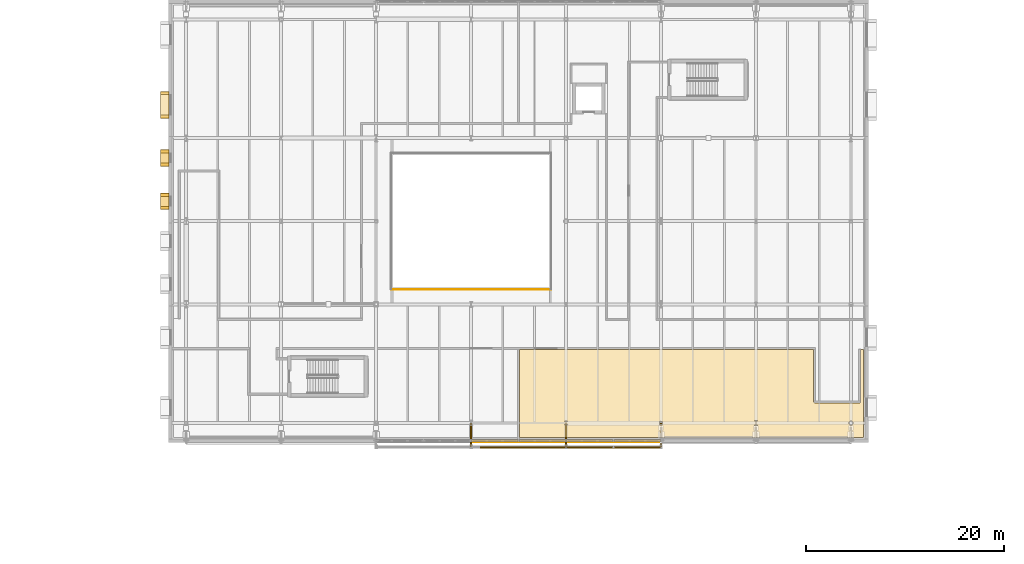
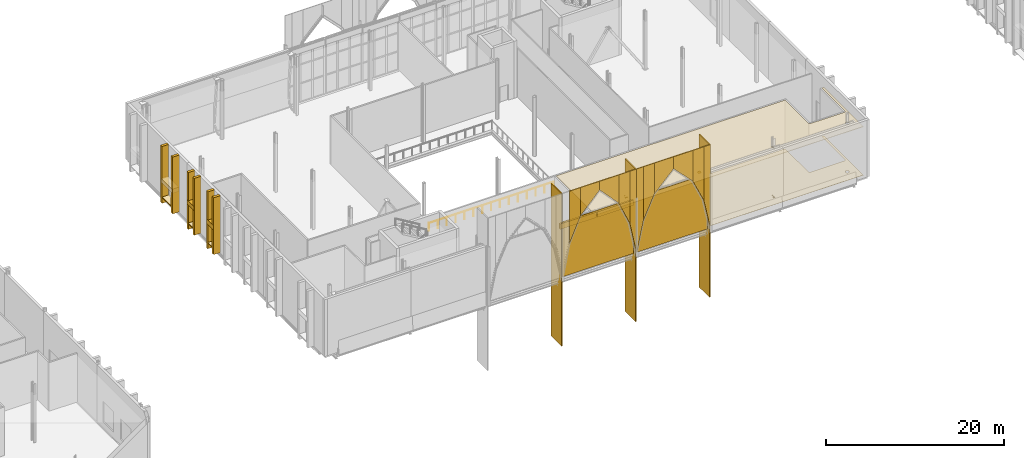
# One storey, part 70 of 79: 32 coverings, 2 shading devices, 1 railing.
"""IFC4 building model written with IfcOpenShell, lengths in metres."""

from ifc_helpers import new_model, si_unit, direction, frame, origin, origin_2d, place, context, subcontext, project, spatial, polyline, rectangle, circle, outline, extrude, material, layer, layer_set, type_object, element, save


model = new_model("IFC4")

# Units and contexts
model_context = context("Model", 3, precision=1e-05, world=origin(), true_north=direction((0.0, 1.0)))
body_context = subcontext(model_context, "Body", "Model", "MODEL_VIEW")
ifc_project = project(units=[si_unit("LENGTHUNIT", "METRE"), si_unit("AREAUNIT", "SQUARE_METRE"), si_unit("VOLUMEUNIT", "CUBIC_METRE"), si_unit("PLANEANGLEUNIT", "RADIAN"), si_unit("MASSUNIT", "GRAM", prefix="KILO")], contexts=[model_context])

# Site, building, storey
site_placement = place(None, origin())
site = spatial("IfcSite", under=ifc_project, at=site_placement, CompositionType="ELEMENT")
building_placement = place(site_placement, origin())
building = spatial("IfcBuilding", under=site, at=building_placement, Name="Zereglee Splitstone Museum", CompositionType="ELEMENT")
storey_placement = place(building_placement, frame((0.0, 0.0, 9.0)))
storey = spatial("IfcBuildingStorey", under=building, at=storey_placement, Name="L02", CompositionType="ELEMENT", Elevation=9.0)

# Coverings
ifc_material_1 = material(Name="Siberian larch acoustic timber ceiling", Category="wood")
ifc_layer_1 = layer(ifc_material_1, 0.06005859375)
ifc_layer_set_1 = layer_set([ifc_layer_1], Name="Siberian larch acoustic timber ceiling")
covering_type_1 = type_object("IfcCoveringType", Name="CLG-01", PredefinedType="CEILING", material=ifc_layer_set_1)
covering_1_placement = place(storey_placement, frame((0.0, 0.0, 6.639892578125)))
element("IfcCovering", 1, at=covering_1_placement, inside=storey, type_object=covering_type_1, Name="Acoustic Ceiling L02-038", PredefinedType="CEILING", context=body_context, shape_type="SweptSolid", body=[
    extrude(outline(polyline([(111.699951171875, 17.02001953125), (141.419921875, 17.02001953125), (141.419921875, 11.800048828125), (141.419921875, 11.799072265625), (141.4208984375, 11.783203125), (141.4208984375, 11.781494140625), (141.42333984375, 11.765869140625), (141.423583984375, 11.763916015625), (141.427490234375, 11.748779296875), (141.427978515625, 11.746826171875), (141.433349609375, 11.73193359375), (141.43408203125, 11.730224609375), (141.44091796875, 11.716064453125), (141.441650390625, 11.71435546875), (141.44970703125, 11.70068359375), (141.450927734375, 11.69921875), (141.460205078125, 11.6865234375), (141.46142578125, 11.68505859375), (141.471923828125, 11.67333984375), (141.473388671875, 11.672119140625), (141.485107421875, 11.66162109375), (141.486572265625, 11.660400390625), (141.499267578125, 11.65087890625), (141.500732421875, 11.64990234375), (141.514404296875, 11.6416015625), (141.51611328125, 11.640869140625), (141.5302734375, 11.634033203125), (141.531982421875, 11.63330078125), (141.546875, 11.628173828125), (141.548583984375, 11.62744140625), (141.56396484375, 11.623779296875), (141.56591796875, 11.623291015625), (141.581298828125, 11.62109375), (141.583251953125, 11.620849609375), (141.59912109375, 11.6201171875), (141.60009765625, 11.6201171875), (146.0, 11.6201171875), (146.0009765625, 11.6201171875), (146.0166015625, 11.620849609375), (146.0185546875, 11.62109375), (146.0341796875, 11.623291015625), (146.0361328125, 11.623779296875), (146.05126953125, 11.62744140625), (146.05322265625, 11.628173828125), (146.068115234375, 11.63330078125), (146.06982421875, 11.634033203125), (146.083984375, 11.640869140625), (146.085693359375, 11.6416015625), (146.09912109375, 11.64990234375), (146.100830078125, 11.65087890625), (146.11328125, 11.660400390625), (146.114990234375, 11.66162109375), (146.126708984375, 11.672119140625), (146.1279296875, 11.67333984375), (146.138427734375, 11.68505859375), (146.1396484375, 11.6865234375), (146.149169921875, 11.69921875), (146.150146484375, 11.70068359375), (146.158203125, 11.71435546875), (146.1591796875, 11.716064453125), (146.166015625, 11.730224609375), (146.166748046875, 11.73193359375), (146.171875, 11.746826171875), (146.172607421875, 11.748779296875), (146.17626953125, 11.763916015625), (146.1767578125, 11.765869140625), (146.178955078125, 11.781494140625), (146.17919921875, 11.783203125), (146.179931640625, 11.799072265625), (146.179931640625, 11.800048828125), (146.179931640625, 17.02001953125), (146.4599609375, 17.02001953125), (146.4599609375, 8.139892578125), (111.699951171875, 8.139892578125), (111.699951171875, 17.02001953125)]), holes=[polyline([(145.28076171875, 9.40478515625), (145.3173828125, 9.42431640625), (145.349365234375, 9.45068359375), (145.37548828125, 9.482666015625), (145.39501953125, 9.519287109375), (145.406982421875, 9.558837890625), (145.4111328125, 9.60009765625), (145.406982421875, 9.64111328125), (145.39501953125, 9.680908203125), (145.37548828125, 9.71728515625), (145.349365234375, 9.749267578125), (145.3173828125, 9.775634765625), (145.28076171875, 9.795166015625), (145.2412109375, 9.80712890625), (145.199951171875, 9.811279296875), (145.15869140625, 9.80712890625), (145.119140625, 9.795166015625), (145.082763671875, 9.775634765625), (145.05078125, 9.749267578125), (145.0244140625, 9.71728515625), (145.0048828125, 9.680908203125), (144.992919921875, 9.64111328125), (144.98876953125, 9.60009765625), (144.992919921875, 9.558837890625), (145.0048828125, 9.519287109375), (145.0244140625, 9.482666015625), (145.05078125, 9.45068359375), (145.082763671875, 9.42431640625), (145.119140625, 9.40478515625), (145.15869140625, 9.392822265625), (145.199951171875, 9.388916015625), (145.2412109375, 9.392822265625), (145.28076171875, 9.40478515625)]), polyline([(135.758056640625, 9.85791015625), (135.44189453125, 9.85791015625), (135.44189453125, 9.81396484375), (135.584716796875, 9.81396484375), (135.584716796875, 9.385986328125), (135.44189453125, 9.385986328125), (135.44189453125, 9.342041015625), (135.758056640625, 9.342041015625), (135.758056640625, 9.385986328125), (135.615234375, 9.385986328125), (135.615234375, 9.81396484375), (135.758056640625, 9.81396484375), (135.758056640625, 9.85791015625)]), polyline([(125.842041015625, 9.758056640625), (125.842041015625, 9.44189453125), (126.157958984375, 9.44189453125), (126.157958984375, 9.758056640625), (125.842041015625, 9.758056640625)]), polyline([(116.55810546875, 9.80810546875), (116.241943359375, 9.80810546875), (116.241943359375, 9.76806640625), (116.38525390625, 9.76806640625), (116.38525390625, 9.431884765625), (116.241943359375, 9.431884765625), (116.241943359375, 9.39208984375), (116.55810546875, 9.39208984375), (116.55810546875, 9.431884765625), (116.414794921875, 9.431884765625), (116.414794921875, 9.76806640625), (116.55810546875, 9.76806640625), (116.55810546875, 9.80810546875)])]), origin(), (0.0, 0.0, 1.0), 0.06005859375),
])
ifc_material_2 = material(Name="Honed Gobi pale limestone stringcourse and soffit cladding", Category="masonry")
ifc_layer_2 = layer(ifc_material_2, 0.070068359375)
ifc_layer_set_2 = layer_set([ifc_layer_2], Name="Honed Gobi pale limestone stringcourse and soffit cladding")
covering_type_2 = type_object("IfcCoveringType", Name="CL-02", PredefinedType="CLADDING", material=ifc_layer_set_2)
for number, where, z_axis, x_axis, name in (
    (2, (75.85498046875, 42.955078125, 0.0), (0.0, 0.0, 1.0), (0.0, -1.0, 0.0), "Mughal Window Reveal Stone Pilaster L02-0094L"),
    (3, (75.85498046875, 40.56494140625, 0.0), (0.0, 0.0, 1.0), (0.0, -1.0, 0.0), "Mughal Window Reveal Stone Pilaster L02-0094R"),
):
    element("IfcCovering", number, at=place(storey_placement, frame(where, z_axis=z_axis, x_axis=x_axis)), inside=storey, type_object=covering_type_2, Name=name, PredefinedType="CLADDING", context=body_context, shape_type="SweptSolid", body=[
        extrude(rectangle(XDim=0.340087890625, YDim=0.860107421875, at=origin_2d()), origin(), (0.0, 0.0, 1.0), 7.800048828125),
    ])
covering_2_placement = place(storey_placement, frame((75.844970703125, 41.760009765625, 0.760009765625), z_axis=(0.0, 0.0, 1.0), x_axis=(0.0, -1.0, 0.0)))
element("IfcCovering", 4, at=covering_2_placement, inside=storey, type_object=covering_type_2, Name="Carved Limestone Window Sill L02-0094", PredefinedType="CLADDING", context=body_context, shape_type="SweptSolid", body=[
    extrude(rectangle(XDim=2.590087890625, YDim=0.840087890625, at=origin_2d()), origin(), (0.0, 0.0, 1.0), 0.1201171875),
])
for number, where, z_axis, x_axis, name in (
    (5, (75.85498046875, 37.06005859375, 0.0), (0.0, 0.0, 1.0), (0.0, -1.0, 0.0), "Mughal Window Reveal Stone Pilaster L02-0095L"),
    (6, (75.85498046875, 35.719970703125, 0.0), (0.0, 0.0, 1.0), (0.0, -1.0, 0.0), "Mughal Window Reveal Stone Pilaster L02-0095R"),
):
    element("IfcCovering", number, at=place(storey_placement, frame(where, z_axis=z_axis, x_axis=x_axis)), inside=storey, type_object=covering_type_2, Name=name, PredefinedType="CLADDING", context=body_context, shape_type="SweptSolid", body=[
        extrude(rectangle(XDim=0.340087890625, YDim=0.860107421875, at=origin_2d()), origin(), (0.0, 0.0, 1.0), 7.800048828125),
    ])
covering_3_placement = place(storey_placement, frame((75.844970703125, 36.389892578125, 0.760009765625), z_axis=(0.0, 0.0, 1.0), x_axis=(0.0, -1.0, 0.0)))
element("IfcCovering", 7, at=covering_3_placement, inside=storey, type_object=covering_type_2, Name="Carved Limestone Window Sill L02-0095", PredefinedType="CLADDING", context=body_context, shape_type="SweptSolid", body=[
    extrude(rectangle(XDim=1.5400390625, YDim=0.840087890625, at=origin_2d()), origin(), (0.0, 0.0, 1.0), 0.1201171875),
])
for number, where, z_axis, x_axis, name in (
    (8, (75.85498046875, 32.679931640625, 0.0), (0.0, 0.0, 1.0), (0.0, -1.0, 0.0), "Mughal Window Reveal Stone Pilaster L02-0096L"),
    (9, (75.85498046875, 31.340087890625, 0.0), (0.0, 0.0, 1.0), (0.0, -1.0, 0.0), "Mughal Window Reveal Stone Pilaster L02-0096R"),
):
    element("IfcCovering", number, at=place(storey_placement, frame(where, z_axis=z_axis, x_axis=x_axis)), inside=storey, type_object=covering_type_2, Name=name, PredefinedType="CLADDING", context=body_context, shape_type="SweptSolid", body=[
        extrude(rectangle(XDim=0.340087890625, YDim=0.860107421875, at=origin_2d()), origin(), (0.0, 0.0, 1.0), 7.800048828125),
    ])
covering_4_placement = place(storey_placement, frame((75.844970703125, 32.010009765625, 0.760009765625), z_axis=(0.0, 0.0, 1.0), x_axis=(0.0, -1.0, 0.0)))
element("IfcCovering", 10, at=covering_4_placement, inside=storey, type_object=covering_type_2, Name="Carved Limestone Window Sill L02-0096", PredefinedType="CLADDING", context=body_context, shape_type="SweptSolid", body=[
    extrude(rectangle(XDim=1.5400390625, YDim=0.840087890625, at=origin_2d()), origin(), (0.0, 0.0, 1.0), 0.1201171875),
])
for number, where, z_axis, x_axis, name in (
    (11, (109.179931640625, 7.800048828125, 6.705078125), (0.0, 0.0, 1.0), (1.0, 0.0, 0.0), "Mughal Carved Clerestory Jaali Frieze RC4-CW-L02-107-1"),
    (12, (114.02001953125, 7.800048828125, 6.68505859375), (0.0, 0.0, 1.0), (1.0, 0.0, 0.0), "Mughal Carved Clerestory Jaali Frieze RC4-CW-L02-107-2"),
    (13, (118.780029296875, 7.800048828125, 6.824951171875), (0.0, 0.0, 1.0), (1.0, 0.0, 0.0), "Mughal Carved Clerestory Jaali Frieze RC4-CW-L02-108-1"),
    (14, (123.6201171875, 7.800048828125, 6.804931640625), (0.0, 0.0, 1.0), (1.0, 0.0, 0.0), "Mughal Carved Clerestory Jaali Frieze RC4-CW-L02-108-2"),
):
    element("IfcCovering", number, at=place(storey_placement, frame(where, z_axis=z_axis, x_axis=x_axis)), inside=storey, type_object=covering_type_2, Name=name, PredefinedType="CLADDING", context=body_context, shape_type="SweptSolid", body=[
        extrude(rectangle(XDim=4.679931640625, YDim=0.239990234375, at=origin_2d()), origin(), (0.0, 0.0, 1.0), 0.75),
    ])
covering_5_placement = place(storey_placement, frame((0.0, 0.0, -9.0)))
element("IfcCovering", 15, at=covering_5_placement, inside=storey, type_object=covering_type_2, Name="Mughal Iwan Stone Cheek Return PSQ-ATRS-1", PredefinedType="CLADDING", context=body_context, shape_type="SweptSolid", body=[
    extrude(outline(polyline([(106.72998046875, 7.199951171875), (106.8701171875, 7.199951171875), (106.8701171875, 9.60009765625), (106.72998046875, 9.60009765625), (106.72998046875, 7.199951171875)])), origin(), (0.0, 0.0, 1.0), 20.945068359375),
])
covering_6_placement = place(storey_placement, frame((0.0, 0.0, -9.0)))
element("IfcCovering", 16, at=covering_6_placement, inside=storey, type_object=covering_type_2, Name="Mughal Iwan Stone Cheek Return PSQ-ATRS-2", PredefinedType="CLADDING", context=body_context, shape_type="SweptSolid", body=[
    extrude(outline(polyline([(116.330078125, 7.199951171875), (116.469970703125, 7.199951171875), (116.469970703125, 9.60009765625), (116.330078125, 9.60009765625), (116.330078125, 7.199951171875)])), origin(), (0.0, 0.0, 1.0), 20.945068359375),
])
covering_7_placement = place(storey_placement, frame((0.0, 0.0, -9.0)))
element("IfcCovering", 17, at=covering_7_placement, inside=storey, type_object=covering_type_2, Name="Mughal Iwan Stone Cheek Return PSQ-ATRS-3", PredefinedType="CLADDING", context=body_context, shape_type="SweptSolid", body=[
    extrude(outline(polyline([(125.929931640625, 7.199951171875), (126.070068359375, 7.199951171875), (126.070068359375, 9.60009765625), (125.929931640625, 9.60009765625), (125.929931640625, 7.199951171875)])), origin(), (0.0, 0.0, 1.0), 20.945068359375),
])
ifc_material_3 = material(Name="Honed Khoroo red sandstone ventilated rainscreen", Category="masonry")
ifc_layer_3 = layer(ifc_material_3, 0.080078125)
ifc_layer_set_3 = layer_set([ifc_layer_3], Name="Honed Khoroo red sandstone ventilated rainscreen")
covering_type_3 = type_object("IfcCoveringType", Name="CL-01", PredefinedType="CLADDING", material=ifc_layer_set_3)
covering_8_placement = place(storey_placement, frame((75.844970703125, 41.760009765625, 2.760009765625), z_axis=(0.0, 0.0, 1.0), x_axis=(0.0, -1.0, 0.0)))
element("IfcCovering", 18, at=covering_8_placement, inside=storey, type_object=covering_type_3, Name="Pointed-Arch Mughal Window Hood L02-0094", PredefinedType="CLADDING", context=body_context, shape_type="SweptSolid", body=[
    extrude(rectangle(XDim=2.590087890625, YDim=0.860107421875, at=origin_2d()), origin(), (0.0, 0.0, 1.0), 0.580078125),
])
for number, where, z_axis, x_axis, name in (
    (19, (75.844970703125, 36.389892578125, 3.35986328125), (0.0, 0.0, 1.0), (0.0, -1.0, 0.0), "Pointed-Arch Mughal Window Hood L02-0095"),
    (20, (75.844970703125, 32.010009765625, 3.35986328125), (0.0, 0.0, 1.0), (0.0, -1.0, 0.0), "Pointed-Arch Mughal Window Hood L02-0096"),
):
    element("IfcCovering", number, at=place(storey_placement, frame(where, z_axis=z_axis, x_axis=x_axis)), inside=storey, type_object=covering_type_3, Name=name, PredefinedType="CLADDING", context=body_context, shape_type="SweptSolid", body=[
        extrude(rectangle(XDim=1.5400390625, YDim=0.860107421875, at=origin_2d()), origin(), (0.0, 0.0, 1.0), 0.580078125),
    ])
covering_9_placement = place(storey_placement, frame((107.6640625, 7.06005859375, 4.846923828125), z_axis=(0.0, -1.0, 0.0), x_axis=(0.398711279961, 0.0, 0.917076504569)))
element("IfcCovering", 21, at=covering_9_placement, inside=storey, type_object=covering_type_3, Name="Mughal Pishtaq Pointed-Arch Stone Voussoir PSQ-ATRS-2-2", PredefinedType="CLADDING", context=body_context, shape_type="SweptSolid", body=[
    extrude(outline(polyline([(0.0, 0.0), (3.611489011276451, 0.0), (7.166056049004502, 1.5453955763320102), (6.591935167850169, 2.865932007959627), (0.0, 0.0)])), origin(), (0.0, 0.0, -1.0), 0.1201171875),
])
covering_10_placement = place(storey_placement, frame((109.10400390625, 7.06005859375, 8.158935546875), z_axis=(0.0, -1.0, 0.0), x_axis=(0.680035143072, 0.0, 0.733179517027)))
element("IfcCovering", 22, at=covering_10_placement, inside=storey, type_object=covering_type_3, Name="Mughal Pishtaq Pointed-Arch Stone Voussoir PSQ-ATRS-2-3", PredefinedType="CLADDING", context=body_context, shape_type="SweptSolid", body=[
    extrude(outline(polyline([(0.0, 0.0), (3.670536405993648, 0.0), (4.5392180945019796, 0.8057154661443509), (2.8417866241001986, 2.6358002762224833), (0.0, 0.0)])), origin(), (0.0, 0.0, -1.0), 0.1201171875),
])
covering_11_placement = place(storey_placement, frame((111.60009765625, 7.06005859375, 10.85009765625), z_axis=(0.0, -1.0, 0.0), x_axis=(0.679999386108, 0.0, -0.733212680531)))
element("IfcCovering", 23, at=covering_11_placement, inside=storey, type_object=covering_type_3, Name="Mughal Pishtaq Pointed-Arch Stone Voussoir PSQ-ATRS-2-4", PredefinedType="CLADDING", context=body_context, shape_type="SweptSolid", body=[
    extrude(outline(polyline([(0.0, 0.0), (3.670370386153561, -2.220446049250313e-16), (0.828455221085761, 2.635661683070681), (-0.8687209811082157, 0.805673100777401), (0.0, 0.0)])), origin(), (0.0, 0.0, -1.0), 0.1201171875),
])
covering_12_placement = place(storey_placement, frame((114.095947265625, 7.06005859375, 8.158935546875), z_axis=(0.0, -1.0, 0.0), x_axis=(0.398711279961, 0.0, -0.917076504569)))
element("IfcCovering", 24, at=covering_12_placement, inside=storey, type_object=covering_type_3, Name="Mughal Pishtaq Pointed-Arch Stone Voussoir PSQ-ATRS-2-5", PredefinedType="CLADDING", context=body_context, shape_type="SweptSolid", body=[
    extrude(outline(polyline([(0.0, 0.0), (3.611489011276451, 0.0), (-2.9804461565737177, 2.8659320079596267), (-3.554567037728051, 1.54539557633201), (0.0, 0.0)])), origin(), (0.0, 0.0, -1.0), 0.1201171875),
])
covering_13_placement = place(storey_placement, frame((115.535888671875, 7.06005859375, 4.846923828125), z_axis=(0.0, -1.0, 0.0), x_axis=(0.194950707798, 0.0, -0.980813041068)))
element("IfcCovering", 25, at=covering_13_placement, inside=storey, type_object=covering_type_3, Name="Mughal Pishtaq Pointed-Arch Stone Voussoir PSQ-ATRS-2-6", PredefinedType="CLADDING", context=body_context, shape_type="SweptSolid", body=[
    extrude(outline(polyline([(0.0, 0.0), (4.431959656033415, 0.0), (-6.881632568415244, 2.2487392801080484), (-7.05007264529425, 1.4013034030719658), (0.0, 0.0)])), origin(), (0.0, 0.0, -1.0), 0.1201171875),
])
covering_14_placement = place(storey_placement, frame((116.39990234375, 7.06005859375, 0.5), z_axis=(0.0, -1.0, 0.0), x_axis=(0.203451466719, 0.0, 0.97908503241)))
element("IfcCovering", 26, at=covering_14_placement, inside=storey, type_object=covering_type_3, Name="Mughal Pishtaq Pointed-Arch Stone Voussoir PSQ-ATRS-3-1", PredefinedType="CLADDING", context=body_context, shape_type="SweptSolid", body=[
    extrude(outline(polyline([(0.0, 0.0), (4.246780255785753, -1.1102230246251565e-16), (11.46944464526492, 1.500851933202206), (11.293659796456256, 2.346794787132798), (0.0, 0.0)])), origin(), (0.0, 0.0, -1.0), 0.1201171875),
])
covering_15_placement = place(storey_placement, frame((117.263916015625, 7.06005859375, 4.657958984375), z_axis=(0.0, -1.0, 0.0), x_axis=(0.413850515302, 0.0, 0.910344852781)))
element("IfcCovering", 27, at=covering_15_placement, inside=storey, type_object=covering_type_3, Name="Mughal Pishtaq Pointed-Arch Stone Voussoir PSQ-ATRS-3-2", PredefinedType="CLADDING", context=body_context, shape_type="SweptSolid", body=[
    extrude(outline(polyline([(0.0, 0.0), (3.479965576037241, 0.0), (7.311592837253456, 1.741890352490325), (6.715571306549255, 3.0529558521373352), (0.0, 0.0)])), origin(), (0.0, 0.0, -1.0), 0.1201171875),
])
covering_16_placement = place(storey_placement, frame((118.7041015625, 7.06005859375, 7.825927734375), z_axis=(0.0, -1.0, 0.0), x_axis=(0.696127756872, 0.0, 0.717917924357)))
element("IfcCovering", 28, at=covering_16_placement, inside=storey, type_object=covering_type_3, Name="Mughal Pishtaq Pointed-Arch Stone Voussoir PSQ-ATRS-3-3", PredefinedType="CLADDING", context=body_context, shape_type="SweptSolid", body=[
    extrude(outline(polyline([(0.0, 0.0), (3.5853326989729313, 2.220446049250313e-16), (4.7591355162134334, 1.1381756806079535), (3.021705326149956, 2.929990851677037), (0.0, 0.0)])), origin(), (0.0, 0.0, -1.0), 0.1201171875),
])
covering_17_placement = place(storey_placement, frame((121.199951171875, 7.06005859375, 10.39990234375), z_axis=(0.0, -1.0, 0.0), x_axis=(0.696162850583, 0.0, -0.717883894141)))
element("IfcCovering", 29, at=covering_17_placement, inside=storey, type_object=covering_type_3, Name="Mughal Pishtaq Pointed-Arch Stone Voussoir PSQ-ATRS-3-4", PredefinedType="CLADDING", context=body_context, shape_type="SweptSolid", body=[
    extrude(outline(polyline([(0.0, 0.0), (3.585502656322576, 0.0), (0.5639405628174856, 2.9301385605611348), (-1.1737471775060087, 1.1382330591692529), (0.0, 0.0)])), origin(), (0.0, 0.0, -1.0), 0.1201171875),
])
covering_18_placement = place(storey_placement, frame((123.696044921875, 7.06005859375, 7.825927734375), z_axis=(0.0, -1.0, 0.0), x_axis=(0.413792372507, 0.0, -0.910371282749)))
element("IfcCovering", 30, at=covering_18_placement, inside=storey, type_object=covering_type_3, Name="Mughal Pishtaq Pointed-Arch Stone Voussoir PSQ-ATRS-3-5", PredefinedType="CLADDING", context=body_context, shape_type="SweptSolid", body=[
    extrude(outline(polyline([(0.0, 0.0), (3.4798645454111843, 0.0), (-3.235901733776968, 3.052526935469461), (-3.831738504540765, 1.7416456303777306), (0.0, 0.0)])), origin(), (0.0, 0.0, -1.0), 0.1201171875),
])
covering_19_placement = place(storey_placement, frame((125.135986328125, 7.06005859375, 4.657958984375), z_axis=(0.0, -1.0, 0.0), x_axis=(0.203451466719, 0.0, -0.97908503241)))
element("IfcCovering", 31, at=covering_19_placement, inside=storey, type_object=covering_type_3, Name="Mughal Pishtaq Pointed-Arch Stone Voussoir PSQ-ATRS-3-6", PredefinedType="CLADDING", context=body_context, shape_type="SweptSolid", body=[
    extrude(outline(polyline([(0.0, 0.0), (4.246780255785753, 1.1102230246251565e-16), (-7.046879540670503, 2.346794787132798), (-7.222664389479167, 1.5008519332022061), (0.0, 0.0)])), origin(), (0.0, 0.0, -1.0), 0.1201171875),
])
ifc_material_4 = material(Name="Honed Gobi granite terrazzo flooring", Category="masonry")
ifc_layer_4 = layer(ifc_material_4, 0.030029296875)
ifc_layer_set_4 = layer_set([ifc_layer_4], Name="Honed Gobi granite terrazzo flooring")
covering_type_4 = type_object("IfcCoveringType", Name="FLR-01", PredefinedType="FLOORING", material=ifc_layer_set_4)
covering_20_placement = place(storey_placement, origin())
element("IfcCovering", 32, at=covering_20_placement, inside=storey, type_object=covering_type_4, Name="Terrazzo Gallery Flooring L02-025", PredefinedType="FLOORING", context=body_context, shape_type="SweptSolid", body=[
    extrude(outline(polyline([(111.699951171875, 17.02001953125), (141.419921875, 17.02001953125), (141.419921875, 11.800048828125), (141.419921875, 11.799072265625), (141.4208984375, 11.783203125), (141.4208984375, 11.781494140625), (141.42333984375, 11.765869140625), (141.423583984375, 11.763916015625), (141.427490234375, 11.748779296875), (141.427978515625, 11.746826171875), (141.433349609375, 11.73193359375), (141.43408203125, 11.730224609375), (141.44091796875, 11.716064453125), (141.441650390625, 11.71435546875), (141.44970703125, 11.70068359375), (141.450927734375, 11.69921875), (141.460205078125, 11.6865234375), (141.46142578125, 11.68505859375), (141.471923828125, 11.67333984375), (141.473388671875, 11.672119140625), (141.485107421875, 11.66162109375), (141.486572265625, 11.660400390625), (141.499267578125, 11.65087890625), (141.500732421875, 11.64990234375), (141.514404296875, 11.6416015625), (141.51611328125, 11.640869140625), (141.5302734375, 11.634033203125), (141.531982421875, 11.63330078125), (141.546875, 11.628173828125), (141.548583984375, 11.62744140625), (141.56396484375, 11.623779296875), (141.56591796875, 11.623291015625), (141.581298828125, 11.62109375), (141.583251953125, 11.620849609375), (141.59912109375, 11.6201171875), (141.60009765625, 11.6201171875), (146.0, 11.6201171875), (146.0009765625, 11.6201171875), (146.0166015625, 11.620849609375), (146.0185546875, 11.62109375), (146.0341796875, 11.623291015625), (146.0361328125, 11.623779296875), (146.05126953125, 11.62744140625), (146.05322265625, 11.628173828125), (146.068115234375, 11.63330078125), (146.06982421875, 11.634033203125), (146.083984375, 11.640869140625), (146.085693359375, 11.6416015625), (146.09912109375, 11.64990234375), (146.100830078125, 11.65087890625), (146.11328125, 11.660400390625), (146.114990234375, 11.66162109375), (146.126708984375, 11.672119140625), (146.1279296875, 11.67333984375), (146.138427734375, 11.68505859375), (146.1396484375, 11.6865234375), (146.149169921875, 11.69921875), (146.150146484375, 11.70068359375), (146.158203125, 11.71435546875), (146.1591796875, 11.716064453125), (146.166015625, 11.730224609375), (146.166748046875, 11.73193359375), (146.171875, 11.746826171875), (146.172607421875, 11.748779296875), (146.17626953125, 11.763916015625), (146.1767578125, 11.765869140625), (146.178955078125, 11.781494140625), (146.17919921875, 11.783203125), (146.179931640625, 11.799072265625), (146.179931640625, 11.800048828125), (146.179931640625, 17.02001953125), (146.4599609375, 17.02001953125), (146.4599609375, 8.139892578125), (111.699951171875, 8.139892578125), (111.699951171875, 17.02001953125)]), holes=[polyline([(145.28076171875, 9.40478515625), (145.3173828125, 9.42431640625), (145.349365234375, 9.45068359375), (145.37548828125, 9.482666015625), (145.39501953125, 9.519287109375), (145.406982421875, 9.558837890625), (145.4111328125, 9.60009765625), (145.406982421875, 9.64111328125), (145.39501953125, 9.680908203125), (145.37548828125, 9.71728515625), (145.349365234375, 9.749267578125), (145.3173828125, 9.775634765625), (145.28076171875, 9.795166015625), (145.2412109375, 9.80712890625), (145.199951171875, 9.811279296875), (145.15869140625, 9.80712890625), (145.119140625, 9.795166015625), (145.082763671875, 9.775634765625), (145.05078125, 9.749267578125), (145.0244140625, 9.71728515625), (145.0048828125, 9.680908203125), (144.992919921875, 9.64111328125), (144.98876953125, 9.60009765625), (144.992919921875, 9.558837890625), (145.0048828125, 9.519287109375), (145.0244140625, 9.482666015625), (145.05078125, 9.45068359375), (145.082763671875, 9.42431640625), (145.119140625, 9.40478515625), (145.15869140625, 9.392822265625), (145.199951171875, 9.388916015625), (145.2412109375, 9.392822265625), (145.28076171875, 9.40478515625)]), polyline([(135.758056640625, 9.85791015625), (135.44189453125, 9.85791015625), (135.44189453125, 9.81396484375), (135.584716796875, 9.81396484375), (135.584716796875, 9.385986328125), (135.44189453125, 9.385986328125), (135.44189453125, 9.342041015625), (135.758056640625, 9.342041015625), (135.758056640625, 9.385986328125), (135.615234375, 9.385986328125), (135.615234375, 9.81396484375), (135.758056640625, 9.81396484375), (135.758056640625, 9.85791015625)]), polyline([(125.842041015625, 9.758056640625), (125.842041015625, 9.44189453125), (126.157958984375, 9.44189453125), (126.157958984375, 9.758056640625), (125.842041015625, 9.758056640625)]), polyline([(116.55810546875, 9.80810546875), (116.241943359375, 9.80810546875), (116.241943359375, 9.76806640625), (116.38525390625, 9.76806640625), (116.38525390625, 9.431884765625), (116.241943359375, 9.431884765625), (116.241943359375, 9.39208984375), (116.55810546875, 9.39208984375), (116.55810546875, 9.431884765625), (116.414794921875, 9.431884765625), (116.414794921875, 9.76806640625), (116.55810546875, 9.76806640625), (116.55810546875, 9.80810546875)])]), origin(), (0.0, 0.0, 1.0), 0.030029296875),
])

# Railing
ifc_material_5 = material(Name="Glazed laminated glass and bronze balustrade", Category="glass")
railing_type = type_object("IfcRailingType", Name="GR-02", PredefinedType="BALUSTRADE", material=ifc_material_5)
railing_placement = place(storey_placement, frame((98.719970703125, 23.1201171875, 0.0)))
element("IfcRailing", 33, at=railing_placement, inside=storey, type_object=railing_type, Name="Atrium Glazed Balustrade L02 Side 1", PredefinedType="BALUSTRADE", context=body_context, shape_type="SweptSolid", body=[
    extrude(circle(Radius=0.02392578125, at=origin_2d()), frame((0.0, 0.0, 1.076416015625), z_axis=(1.0, 0.0, 0.0), x_axis=(0.0, 1.0, 0.0)), (0.0, 0.0, 1.0), 16.159912109375),
    extrude(circle(Radius=0.02099609375, at=origin_2d()), origin(), (0.0, 0.0, 1.0), 1.052001953125),
    extrude(circle(Radius=0.02099609375, at=origin_2d()), frame((1.154296875, 0.0, 0.0)), (0.0, 0.0, 1.0), 1.052001953125),
    extrude(circle(Radius=0.02099609375, at=origin_2d()), frame((2.30859375, 0.0, 0.0)), (0.0, 0.0, 1.0), 1.052001953125),
    extrude(circle(Radius=0.02099609375, at=origin_2d()), frame((3.462890625, 0.0, 0.0)), (0.0, 0.0, 1.0), 1.052001953125),
    extrude(circle(Radius=0.02099609375, at=origin_2d()), frame((4.6171875, 0.0, 0.0)), (0.0, 0.0, 1.0), 1.052001953125),
    extrude(circle(Radius=0.02099609375, at=origin_2d()), frame((5.771484375, 0.0, 0.0)), (0.0, 0.0, 1.0), 1.052001953125),
    extrude(circle(Radius=0.02099609375, at=origin_2d()), frame((6.92578125, 0.0, 0.0)), (0.0, 0.0, 1.0), 1.052001953125),
    extrude(circle(Radius=0.02099609375, at=origin_2d()), frame((8.080078125, 0.0, 0.0)), (0.0, 0.0, 1.0), 1.052001953125),
    extrude(circle(Radius=0.02099609375, at=origin_2d()), frame((9.234130859375, 0.0, 0.0)), (0.0, 0.0, 1.0), 1.052001953125),
    extrude(circle(Radius=0.02099609375, at=origin_2d()), frame((10.388427734375, 0.0, 0.0)), (0.0, 0.0, 1.0), 1.052001953125),
    extrude(circle(Radius=0.02099609375, at=origin_2d()), frame((11.542724609375, 0.0, 0.0)), (0.0, 0.0, 1.0), 1.052001953125),
    extrude(circle(Radius=0.02099609375, at=origin_2d()), frame((12.697021484375, 0.0, 0.0)), (0.0, 0.0, 1.0), 1.052001953125),
    extrude(circle(Radius=0.02099609375, at=origin_2d()), frame((13.851318359375, 0.0, 0.0)), (0.0, 0.0, 1.0), 1.052001953125),
    extrude(circle(Radius=0.02099609375, at=origin_2d()), frame((15.005615234375, 0.0, 0.0)), (0.0, 0.0, 1.0), 1.052001953125),
    extrude(circle(Radius=0.02099609375, at=origin_2d()), frame((16.159912109375, 0.0, 0.0)), (0.0, 0.0, 1.0), 1.052001953125),
])

# Shading devices
ifc_material_6 = material(Name="Patinated architectural bronze CuSn8 geometric jali screen")
ifc_layer_5 = layer(ifc_material_6, 0.06005859375)
ifc_layer_set_5 = layer_set([ifc_layer_5], Name="Patinated architectural bronze CuSn8 geometric jali screen")
shading_device_type = type_object("IfcShadingDeviceType", Name="JL-01", PredefinedType="USERDEFINED", material=ifc_layer_set_5)
for number, where, z_axis, x_axis, name in (
    (34, (106.85009765625, 7.719970703125, 0.1201171875), (0.0, -1.0, 0.0), (1.0, 0.0, 0.0), "Bronze Mughal Jali Screen 24"),
    (35, (116.449951171875, 7.719970703125, 0.1201171875), (0.0, -1.0, 0.0), (1.0, 0.0, 0.0), "Bronze Mughal Jali Screen 25"),
):
    element("IfcShadingDevice", number, at=place(storey_placement, frame(where, z_axis=z_axis, x_axis=x_axis)), inside=storey, type_object=shading_device_type, Name=name, ObjectType="SCREEN", PredefinedType="USERDEFINED", context=body_context, shape_type="SweptSolid", body=[
        extrude(outline(polyline([(0.0, 0.0), (9.5, 0.0), (9.5, 7.559814453125), (0.0, 7.559814453125), (0.0, 0.0)])), origin(), (0.0, 0.0, 1.0), 0.06005859375),
    ])

save(model, "model.ifc")
